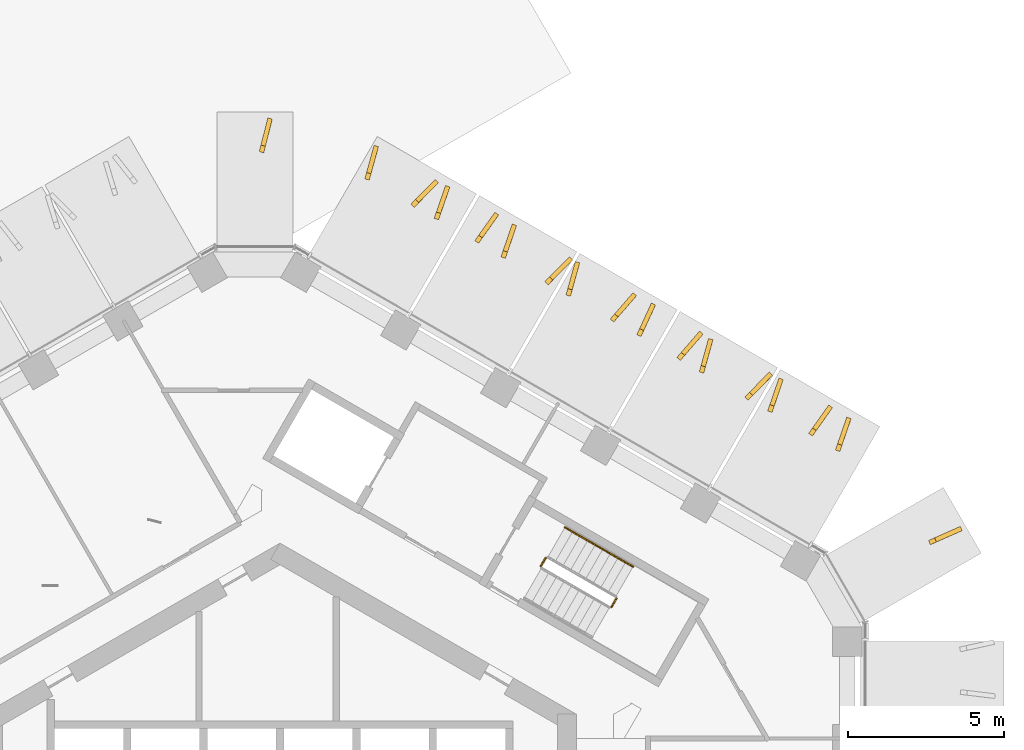
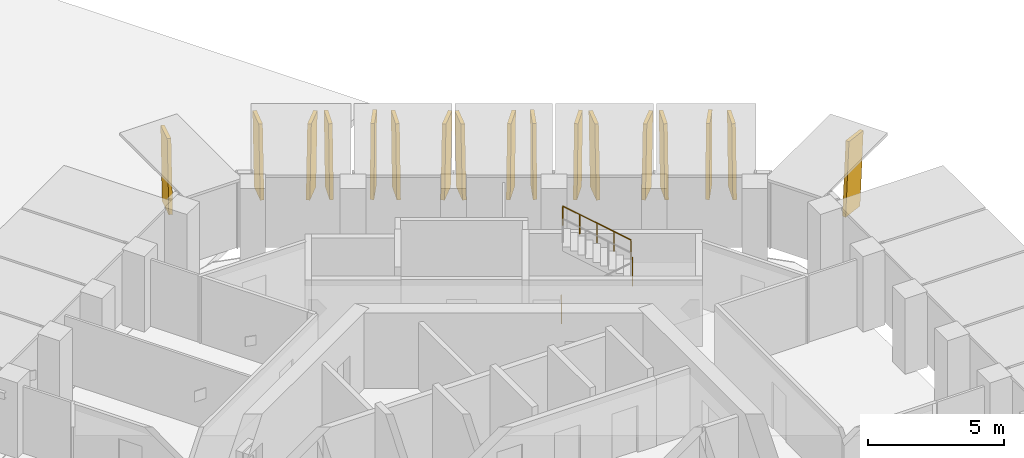
# One storey, part 23 of 23: 17 shading devices, 4 railings.
"""IFC4 building model written with IfcOpenShell, lengths in metres."""

from ifc_helpers import new_model, si_unit, direction, frame, origin, origin_2d, place, context, subcontext, project, spatial, polyline, circle, outline, extrude, material, layer, layer_set, type_object, element, save


model = new_model("IFC4")

# Units and contexts
model_context = context("Model", 3, precision=1e-05, world=origin(), true_north=direction((0.0, 1.0)))
body_context = subcontext(model_context, "Body", "Model", "MODEL_VIEW")
ifc_project = project(units=[si_unit("LENGTHUNIT", "METRE"), si_unit("AREAUNIT", "SQUARE_METRE"), si_unit("VOLUMEUNIT", "CUBIC_METRE"), si_unit("PLANEANGLEUNIT", "RADIAN"), si_unit("MASSUNIT", "GRAM", prefix="KILO")], contexts=[model_context])

# Site, building, storey
site_placement = place(None, origin())
site = spatial("IfcSite", under=ifc_project, at=site_placement, CompositionType="ELEMENT")
building_placement = place(site_placement, origin())
building = spatial("IfcBuilding", under=site, at=building_placement, Name="Ayvan Gate Tower", CompositionType="ELEMENT")
storey_placement = place(building_placement, frame((0.0, 0.0, 198.699951171875)))
storey = spatial("IfcBuildingStorey", under=building, at=storey_placement, Name="L53", CompositionType="ELEMENT", Elevation=198.699951171875)

# Shading devices
ifc_material_1 = material(Name="Bronze anodised aluminium", Category="aluminium")
ifc_layer = layer(ifc_material_1, 0.14990234375)
ifc_layer_set = layer_set([ifc_layer], Name="Bronze anodised aluminium")
shading_device_type = type_object("IfcShadingDeviceType", Name="Bronze fin 900 x 150", PredefinedType="USERDEFINED", material=ifc_layer_set)
shading_device_1_placement = place(storey_placement, frame((20.8515625, 10.91845703125, 0.0), z_axis=(0.404174358888, -0.914681837697, 0.000472657151), x_axis=(0.914681939869, 0.404174404035, 0.0)))
element("IfcShadingDevice", 1, at=shading_device_1_placement, inside=storey, type_object=shading_device_type, Name="Bronze fin FG19.10.80", ObjectType="FIN", PredefinedType="USERDEFINED", context=body_context, shape_type="SweptSolid", body=[
    extrude(outline(polyline([(0.0, 0.0), (0.9000310945437551, 2.710505431213761e-20), (1.113979740883628, 3.2800296632621766), (0.21394864633987298, 3.2800296632621766), (0.0, 0.0)])), origin(), (0.0, 0.0, -1.0), 0.14990234375),
])
shading_device_2_placement = place(storey_placement, frame((17.94921875, 13.9072265625, 0.0), z_axis=(0.945308013906, -0.326178733636, 0.000438826182), x_axis=(0.326178765019, 0.945308104932, 5.6263e-08)))
element("IfcShadingDevice", 2, at=shading_device_2_placement, inside=storey, type_object=shading_device_type, Name="Bronze fin FG19.11.81", ObjectType="FIN", PredefinedType="USERDEFINED", context=body_context, shape_type="SweptSolid", body=[
    extrude(outline(polyline([(0.0, 0.0), (0.9000160208110027, 4.0657581468206416e-20), (1.1141781360618217, 3.280029550002662), (0.2140824817632655, 3.2800296512830083), (0.0, 0.0)])), origin(), (0.0, 0.0, -1.0), 0.14990234375),
])
shading_device_3_placement = place(storey_placement, frame((17.07177734375, 14.403076171875, 0.0), z_axis=(0.815763054779, -0.578386043495, 0.000472386436), x_axis=(0.578386108028, 0.815763145797, 0.0)))
element("IfcShadingDevice", 3, at=shading_device_3_placement, inside=storey, type_object=shading_device_type, Name="Bronze fin FG19.11.82", ObjectType="FIN", PredefinedType="USERDEFINED", context=body_context, shape_type="SweptSolid", body=[
    extrude(outline(polyline([(0.0, 0.0), (0.8999313871402703, 0.0), (1.1140142797325379, 3.280029662842601), (0.21408289259226748, 3.280029662842601), (0.0, 0.0)])), origin(), (0.0, 0.0, -1.0), 0.14990234375),
])
shading_device_4_placement = place(storey_placement, frame((15.777587890625, 15.160888671875, 0.0), z_axis=(0.946088424416, -0.32390812294, 0.000470191458), x_axis=(0.323908158754, 0.946088528993, -2.066e-08)))
element("IfcShadingDevice", 4, at=shading_device_4_placement, inside=storey, type_object=shading_device_type, Name="Bronze fin FG19.11.83", ObjectType="FIN", PredefinedType="USERDEFINED", context=body_context, shape_type="SweptSolid", body=[
    extrude(outline(polyline([(0.0, 0.0), (0.8998430278690686, -2.710505431213761e-20), (1.114001193563107, 3.2800296824652846), (0.21392718704926453, 3.280029645278176), (0.0, 0.0)])), origin(), (0.0, 0.0, -1.0), 0.14990234375),
])
shading_device_5_placement = place(storey_placement, frame((15.009033203125, 15.552490234375, 0.0), z_axis=(0.71251043718, -0.701661401213, 0.000393645985), x_axis=(0.701661455576, 0.712510492385, 0.0)))
element("IfcShadingDevice", 5, at=shading_device_5_placement, inside=storey, type_object=shading_device_type, Name="Bronze fin FG19.11.84", ObjectType="FIN", PredefinedType="USERDEFINED", context=body_context, shape_type="SweptSolid", body=[
    extrude(outline(polyline([(0.0, 0.0), (0.9001375119802184, 2.710505431213761e-20), (1.1143918846664453, 3.2800295510070443), (0.214254372686227, 3.2800295510070443), (0.0, 0.0)])), origin(), (0.0, 0.0, -1.0), 0.14990234375),
])
shading_device_6_placement = place(storey_placement, frame((13.5859375, 16.41796875, 0.0), z_axis=(0.963564439548, -0.267475939582, 0.00043884363), x_axis=(0.267475965337, 0.963564532331, 0.0)))
element("IfcShadingDevice", 6, at=shading_device_6_placement, inside=storey, type_object=shading_device_type, Name="Bronze fin FG19.11.85", ObjectType="FIN", PredefinedType="USERDEFINED", context=body_context, shape_type="SweptSolid", body=[
    extrude(outline(polyline([(0.0, 0.0), (0.8999786427400962, -1.3552527156068805e-20), (1.114185467678297, 3.2800296127151864), (0.21420682493820084, 3.2800296127151864), (0.0, 0.0)])), origin(), (0.0, 0.0, -1.0), 0.14990234375),
])
shading_device_7_placement = place(storey_placement, frame((12.83642578125, 16.826416015625, 0.0), z_axis=(0.755568172819, -0.655069875196, 0.000441400321), x_axis=(0.655069939024, 0.755568246413, -3.922e-08)))
element("IfcShadingDevice", 7, at=shading_device_7_placement, inside=storey, type_object=shading_device_type, Name="Bronze fin FG19.11.86", ObjectType="FIN", PredefinedType="USERDEFINED", context=body_context, shape_type="SweptSolid", body=[
    extrude(outline(polyline([(0.0, 0.0), (0.8999637375493648, -2.710505431213761e-20), (1.114161334884076, 3.280029660103246), (0.21401313243080172, 3.280029589503218), (0.0, 0.0)])), origin(), (0.0, 0.0, -1.0), 0.14990234375),
])
shading_device_8_placement = place(storey_placement, frame((11.575927734375, 17.59228515625, 0.0), z_axis=(0.908442981127, -0.41800854999, 0.000449640138), x_axis=(0.418008592246, 0.90844307296, 0.0)))
element("IfcShadingDevice", 8, at=shading_device_8_placement, inside=storey, type_object=shading_device_type, Name="Bronze fin FG19.11.87", ObjectType="FIN", PredefinedType="USERDEFINED", context=body_context, shape_type="SweptSolid", body=[
    extrude(outline(polyline([(0.0, 0.0), (0.9000310283186577, 0.0), (1.1140806174533333, 3.2800296284470685), (0.21404958913467573, 3.2800296284470685), (0.0, 0.0)])), origin(), (0.0, 0.0, -1.0), 0.14990234375),
])
shading_device_9_placement = place(storey_placement, frame((10.701171875, 18.058837890625, 0.0), z_axis=(0.754941147515, -0.655792390987, 0.000451344082), x_axis=(0.655792457768, 0.754941224424, 4.622e-08)))
element("IfcShadingDevice", 9, at=shading_device_9_placement, inside=storey, type_object=shading_device_type, Name="Bronze fin FG19.11.88", ObjectType="FIN", PredefinedType="USERDEFINED", context=body_context, shape_type="SweptSolid", body=[
    extrude(outline(polyline([(0.0, 0.0), (0.8999149897453298, 0.0), (1.114087101517004, 3.280029579471818), (0.21401200619116437, 3.280029662667268), (0.0, 0.0)])), origin(), (0.0, 0.0, -1.0), 0.14990234375),
])
shading_device_10_placement = place(storey_placement, frame((9.313720703125, 18.884521484375, 0.0), z_axis=(0.963643992869, -0.267189115546, 0.000481187639), x_axis=(0.26718914647, 0.963644104433, 1.7435e-08)))
element("IfcShadingDevice", 10, at=shading_device_10_placement, inside=storey, type_object=shading_device_type, Name="Bronze fin FG19.11.89", ObjectType="FIN", PredefinedType="USERDEFINED", context=body_context, shape_type="SweptSolid", body=[
    extrude(outline(polyline([(0.0, 0.0), (0.9001486358212116, -1.3552527156068805e-20), (1.1140554405059282, 3.2800296571827148), (0.21414206935865052, 3.280029688567313), (0.0, 0.0)])), origin(), (0.0, 0.0, -1.0), 0.14990234375),
])
shading_device_11_placement = place(storey_placement, frame((8.601318359375, 19.25244140625, 0.0), z_axis=(0.712713842458, -0.701454754349, 0.000454279097), x_axis=(0.701454826714, 0.712713916013, 4.3924e-08)))
element("IfcShadingDevice", 11, at=shading_device_11_placement, inside=storey, type_object=shading_device_type, Name="Bronze fin FG19.11.90", ObjectType="FIN", PredefinedType="USERDEFINED", context=body_context, shape_type="SweptSolid", body=[
    extrude(outline(polyline([(0.0, 0.0), (0.8997949669003336, -2.710505431213761e-20), (1.1138785954201842, 3.2800295863977578), (0.21391237490004744, 3.2800296654509427), (0.0, 0.0)])), origin(), (0.0, 0.0, -1.0), 0.14990234375),
])
shading_device_12_placement = place(storey_placement, frame((7.22607421875, 20.09814453125, 0.0), z_axis=(0.945949416577, -0.324313888018, 0.00045090647), x_axis=(0.324313920962, 0.945949512749, 5.7857e-08)))
element("IfcShadingDevice", 12, at=shading_device_12_placement, inside=storey, type_object=shading_device_type, Name="Bronze fin FG19.11.91", ObjectType="FIN", PredefinedType="USERDEFINED", context=body_context, shape_type="SweptSolid", body=[
    extrude(outline(polyline([(0.0, 0.0), (0.8999221402601768, -2.710505431213761e-20), (1.1139280988437008, 3.2800295658682552), (0.21392678038016413, 3.280029670007298), (0.0, 0.0)])), origin(), (0.0, 0.0, -1.0), 0.14990234375),
])
shading_device_13_placement = place(storey_placement, frame((6.3681640625, 20.582763671875, 0.0), z_axis=(0.815151667102, -0.579247398656, 0.00045909694), x_axis=(0.579247459714, 0.815151752997, -3.6079e-08)))
element("IfcShadingDevice", 13, at=shading_device_13_placement, inside=storey, type_object=shading_device_type, Name="Bronze fin FG19.11.92", ObjectType="FIN", PredefinedType="USERDEFINED", context=body_context, shape_type="SweptSolid", body=[
    extrude(outline(polyline([(0.0, 0.0), (0.8997581036361919, 2.710505431213761e-20), (1.1139805396522762, 3.280029682732094), (0.21402342435763774, 3.2800296178004174), (0.0, 0.0)])), origin(), (0.0, 0.0, -1.0), 0.14990234375),
])
shading_device_14_placement = place(storey_placement, frame((5.084716796875, 21.334716796875, 0.0), z_axis=(0.944732502784, -0.327841846264, 0.000471191201), x_axis=(0.327841882676, 0.944732607653, -3.942e-08)))
element("IfcShadingDevice", 14, at=shading_device_14_placement, inside=storey, type_object=shading_device_type, Name="Bronze fin FG19.11.93", ObjectType="FIN", PredefinedType="USERDEFINED", context=body_context, shape_type="SweptSolid", body=[
    extrude(outline(polyline([(0.0, 0.0), (0.9001134054228077, 2.710505431213761e-20), (1.1140418975552795, 3.280029704908694), (0.21423917926389968, 3.2800296339557358), (0.0, 0.0)])), origin(), (0.0, 0.0, -1.0), 0.14990234375),
])
shading_device_15_placement = place(storey_placement, frame((4.3037109375, 21.73388671875, 0.0), z_axis=(0.713250707374, -0.700908852578, 0.000456955058), x_axis=(0.70090892577, 0.713250781826, -4.3443e-08)))
element("IfcShadingDevice", 15, at=shading_device_15_placement, inside=storey, type_object=shading_device_type, Name="Bronze fin FG19.11.94", ObjectType="FIN", PredefinedType="USERDEFINED", context=body_context, shape_type="SweptSolid", body=[
    extrude(outline(polyline([(0.0, 0.0), (0.8999719164089925, -2.710505431213761e-20), (1.1140592830150848, 3.2800296877207855), (0.21391323311443539, 3.2800296095189143), (0.0, 0.0)])), origin(), (0.0, 0.0, -1.0), 0.14990234375),
])
shading_device_16_placement = place(storey_placement, frame((2.863525390625, 22.608642578125, 0.0), z_axis=(0.963783581069, -0.266685224544, 0.000447070048), x_axis=(0.266685251202, 0.963783677384, -1.6175e-08)))
element("IfcShadingDevice", 16, at=shading_device_16_placement, inside=storey, type_object=shading_device_type, Name="Bronze fin FG19.11.95", ObjectType="FIN", PredefinedType="USERDEFINED", context=body_context, shape_type="SweptSolid", body=[
    extrude(outline(polyline([(0.0, 0.0), (0.8997830136715361, -1.3552527156068805e-20), (1.1139257858164837, 3.2800296426853026), (0.21390747339558638, 3.2800296135733453), (0.0, 0.0)])), origin(), (0.0, 0.0, -1.0), 0.14990234375),
])
shading_device_17_placement = place(storey_placement, frame((-0.51904296875, 23.485595703125, 0.0), z_axis=(0.969428128164, -0.24537505021, 0.00043480926), x_axis=(0.245375073435, 0.969428219796, -7.1654e-08)))
element("IfcShadingDevice", 17, at=shading_device_17_placement, inside=storey, type_object=shading_device_type, Name="Bronze fin FG19.12.96", ObjectType="FIN", PredefinedType="USERDEFINED", context=body_context, shape_type="SweptSolid", body=[
    extrude(outline(polyline([(0.0, 0.0), (0.8998611989232516, -1.3552527156068805e-20), (1.11402996624387, 3.2800296867592227), (0.21399199653293277, 3.280029557789593), (0.0, 0.0)])), origin(), (0.0, 0.0, -1.0), 0.14990234375),
])

# Railings
ifc_material_2 = material(Name="Stainless steel balustrade", Category="steel")
railing_type_1 = type_object("IfcRailingType", Name="RL-GUARD-1100", PredefinedType="GUARDRAIL", material=ifc_material_2)
railing_1_placement = place(storey_placement, frame((10.6318359375, 8.9248046875, 1.699951171875)))
element("IfcRailing", 18, at=railing_1_placement, inside=storey, type_object=railing_type_1, Name="L53 STS1 stair guard 2", PredefinedType="GUARDRAIL", context=body_context, shape_type="SweptSolid", body=[
    extrude(circle(Radius=0.02392578125, at=origin_2d()), frame((0.0, 0.0, 1.076171875), z_axis=(0.499949632511, 0.866054481515, 0.0), x_axis=(-0.866054481515, 0.499949632511, 0.0)), (0.0, 0.0, 1.0), 0.31005859375),
    extrude(circle(Radius=0.02099609375, at=origin_2d()), origin(), (0.0, 0.0, 1.0), 1.052001953125),
    extrude(circle(Radius=0.02099609375, at=origin_2d()), frame((0.155029296875, 0.2685546875, 0.0)), (0.0, 0.0, 1.0), 1.052001953125),
])
railing_2_placement = place(storey_placement, frame((8.36279296875, 10.23486328125, 0.0)))
element("IfcRailing", 19, at=railing_2_placement, inside=storey, type_object=railing_type_1, Name="L53 STS1 stair guard 4", PredefinedType="GUARDRAIL", context=body_context, shape_type="SweptSolid", body=[
    extrude(circle(Radius=0.02392578125, at=origin_2d()), frame((0.0, 0.0, 1.076171875), z_axis=(0.500290723946, 0.86585748916, 0.0), x_axis=(-0.86585748916, 0.500290723946, 0.0)), (0.0, 0.0, 1.0), 0.309814453125),
    extrude(circle(Radius=0.02099609375, at=origin_2d()), origin(), (0.0, 0.0, 1.0), 1.052001953125),
    extrude(circle(Radius=0.02099609375, at=origin_2d()), frame((0.155029296875, 0.268310546875, 0.0)), (0.0, 0.0, 1.0), 1.052001953125),
])
railing_type_2 = type_object("IfcRailingType", Name="RL-HANDRAIL-900", PredefinedType="HANDRAIL", material=ifc_material_2)
railing_3_placement = place(storey_placement, frame((11.318603515625, 10.214111328125, 1.8701171875)))
element("IfcRailing", 20, at=railing_3_placement, inside=storey, type_object=railing_type_2, Name="L53 STS1 stair handrail 3", PredefinedType="HANDRAIL", context=body_context, shape_type="SweptSolid", body=[
    extrude(circle(Radius=0.02392578125, at=origin_2d()), frame((0.0, 0.0, 0.8759765625), z_axis=(-0.740304193401, 0.427455284825, 0.518875399983), x_axis=(-0.500035496587, -0.86600490885, 0.0)), (0.0, 0.0, 1.0), 1.47412109375),
    extrude(circle(Radius=0.02099609375, at=origin_2d()), origin(), (0.0, 0.0, 1.0), 0.851806640625),
    extrude(circle(Radius=0.02099609375, at=origin_2d()), frame((-0.545654296875, 0.31494140625, 0.38232421875)), (0.0, 0.0, 1.0), 0.851806640625),
    extrude(circle(Radius=0.02099609375, at=origin_2d()), frame((-1.09130859375, 0.630126953125, 0.764892578125)), (0.0, 0.0, 1.0), 0.851806640625),
])
railing_4_placement = place(storey_placement, frame((10.227294921875, 10.84423828125, 2.635009765625)))
element("IfcRailing", 21, at=railing_4_placement, inside=storey, type_object=railing_type_2, Name="L53 STS1 stair handrail 4", PredefinedType="HANDRAIL", context=body_context, shape_type="SweptSolid", body=[
    extrude(circle(Radius=0.02392578125, at=origin_2d()), frame((0.0, 0.0, 0.8759765625), z_axis=(-0.740292964666, 0.42728318766, 0.519033143459), x_axis=(-0.499890179513, -0.866088799389, 0.0)), (0.0, 0.0, 1.0), 1.47412109375),
    extrude(circle(Radius=0.02099609375, at=origin_2d()), origin(), (0.0, 0.0, 1.0), 0.851806640625),
    extrude(circle(Radius=0.02099609375, at=origin_2d()), frame((-0.545654296875, 0.31494140625, 0.382568359375)), (0.0, 0.0, 1.0), 0.851806640625),
    extrude(circle(Radius=0.02099609375, at=origin_2d()), frame((-1.09130859375, 0.6298828125, 0.76513671875)), (0.0, 0.0, 1.0), 0.851806640625),
])

save(model, "model.ifc")
